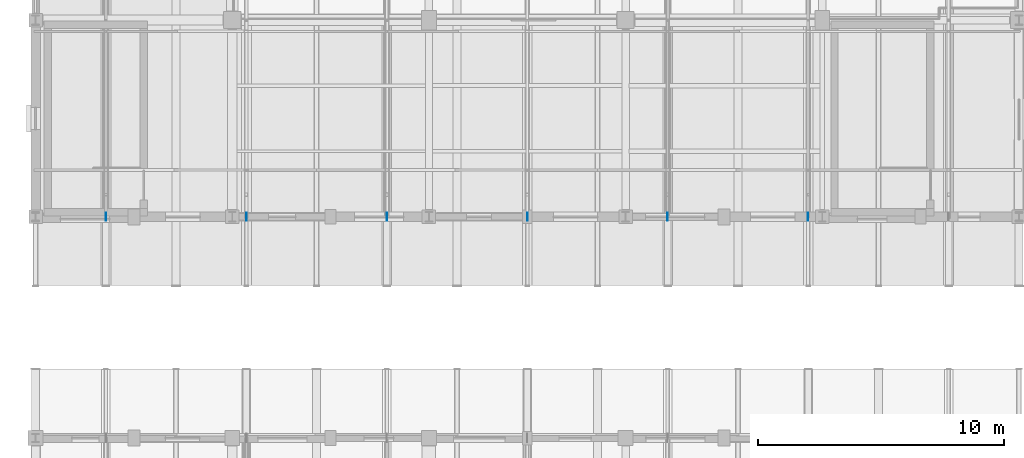
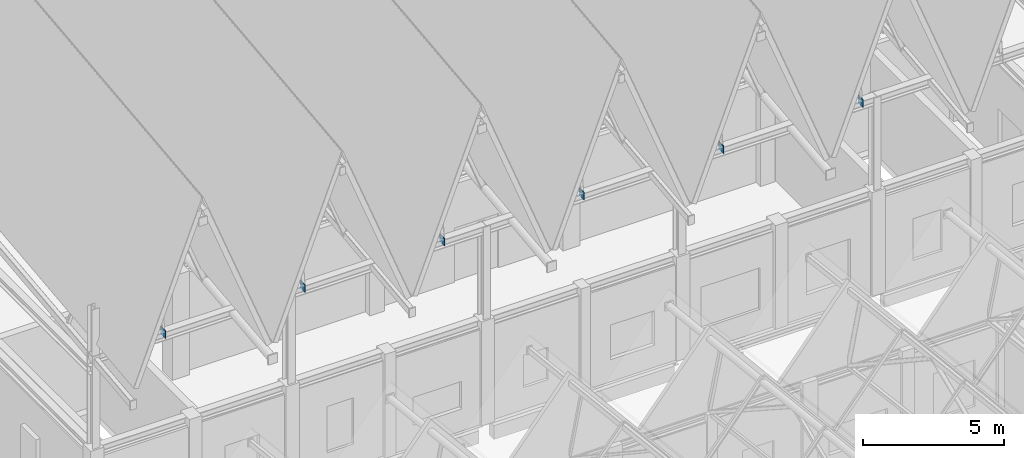
# One storey, part 33 of 77: 6 plates.
"""IFC4 building model written with IfcOpenShell, lengths in metres."""

from ifc_helpers import new_model, si_unit, direction, frame, origin, origin_2d, place, context, subcontext, project, spatial, rectangle, extrude, material, layer, layer_set, type_object, element, save


model = new_model("IFC4")

# Units and contexts
model_context = context("Model", 3, precision=1e-05, world=origin(), true_north=direction((0.0, 1.0)))
body_context = subcontext(model_context, "Body", "Model", "MODEL_VIEW")
ifc_project = project(units=[si_unit("LENGTHUNIT", "METRE"), si_unit("AREAUNIT", "SQUARE_METRE"), si_unit("VOLUMEUNIT", "CUBIC_METRE"), si_unit("PLANEANGLEUNIT", "RADIAN"), si_unit("MASSUNIT", "GRAM", prefix="KILO")], contexts=[model_context])

# Site, building, storey
site_placement = place(None, origin())
site = spatial("IfcSite", under=ifc_project, at=site_placement, CompositionType="ELEMENT")
building_placement = place(site_placement, origin())
building = spatial("IfcBuilding", under=site, at=building_placement, Name="Luwemba Playhouse", CompositionType="ELEMENT")
storey_placement = place(building_placement, frame((0.0, 0.0, 9.300048828125)))
storey = spatial("IfcBuildingStorey", under=building, at=storey_placement, Name="L02", CompositionType="ELEMENT", Elevation=9.300048828125)

# Plates
ifc_material = material(Name="Steel S355", Category="steel")
ifc_layer = layer(ifc_material, 0.02001953125)
ifc_layer_set = layer_set([ifc_layer], Name="Steel S355")
plate_type = type_object("IfcPlateType", Name="PLT-GP2", PredefinedType="USERDEFINED", material=ifc_layer_set)
for number, where, z_axis, x_axis, name in (
    (1, (6.857177734375, 36.0, 8.22998046875), (0.0, 0.0, 1.0), (1.0, 0.0, 0.0), "Truss node gusset cap plate 0001"),
    (2, (12.5712890625, 36.0, 8.22998046875), (0.0, 0.0, 1.0), (1.0, 0.0, 0.0), "Truss node gusset cap plate 0004"),
    (3, (18.28564453125, 36.0, 8.22998046875), (0.0, 0.0, 1.0), (1.0, 0.0, 0.0), "Truss node gusset cap plate 0007"),
    (4, (24.0, 36.0, 8.22998046875), (0.0, 0.0, 1.0), (1.0, 0.0, 0.0), "Truss node gusset cap plate 0010"),
    (5, (29.71435546875, 36.0, 8.22998046875), (0.0, 0.0, 1.0), (1.0, 0.0, 0.0), "Truss node gusset cap plate 0013"),
    (6, (35.4287109375, 36.0, 8.22998046875), (0.0, 0.0, 1.0), (1.0, 0.0, 0.0), "Truss node gusset cap plate 0016"),
):
    element("IfcPlate", number, at=place(storey_placement, frame(where, z_axis=z_axis, x_axis=x_axis)), inside=storey, type_object=plate_type, Name=name, ObjectType="GUSSET PLATE", PredefinedType="USERDEFINED", context=body_context, shape_type="SweptSolid", body=[
        extrude(rectangle(XDim=0.02001953125, YDim=0.340087890625, at=origin_2d()), origin(), (0.0, 0.0, 1.0), 0.340087890625),
    ])

save(model, "model.ifc")
